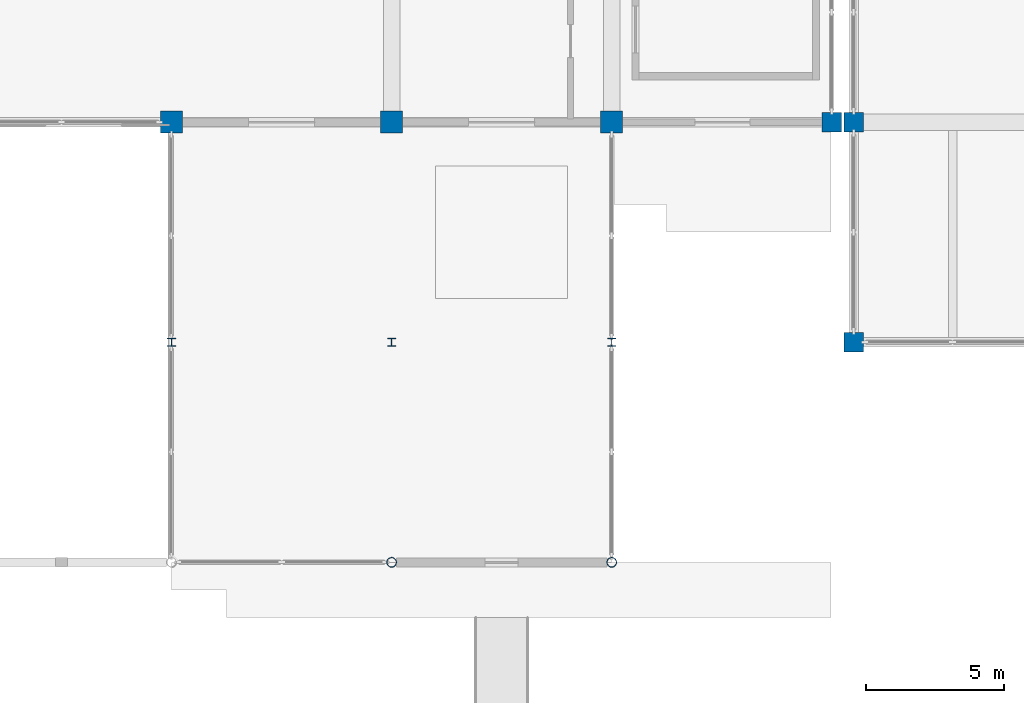
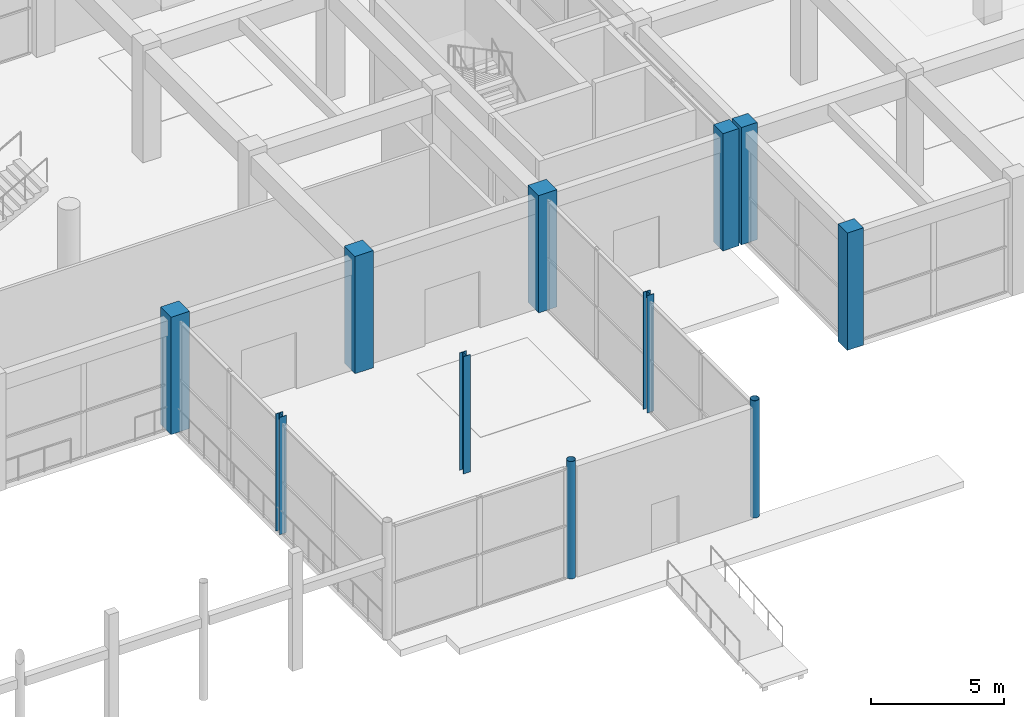
# One storey, part 6 of 86: 11 columns.
"""IFC4 building model written with IfcOpenShell, lengths in metres."""

from ifc_helpers import new_model, si_unit, direction, frame, origin, origin_2d, place, context, subcontext, project, spatial, rectangle, hollow_circle, i_section, extrude, material, material_profile, profile_set, type_object, element, save


model = new_model("IFC4")

# Units and contexts
model_context = context("Model", 3, precision=1e-05, world=origin(), true_north=direction((0.0, 1.0)))
body_context = subcontext(model_context, "Body", "Model", "MODEL_VIEW")
ifc_project = project(units=[si_unit("LENGTHUNIT", "METRE"), si_unit("AREAUNIT", "SQUARE_METRE"), si_unit("VOLUMEUNIT", "CUBIC_METRE"), si_unit("PLANEANGLEUNIT", "RADIAN"), si_unit("MASSUNIT", "GRAM", prefix="KILO")], contexts=[model_context])

# Site, building, storey
site_placement = place(None, origin())
site = spatial("IfcSite", under=ifc_project, at=site_placement, CompositionType="ELEMENT")
building_placement = place(site_placement, origin())
building = spatial("IfcBuilding", under=site, at=building_placement, Name="Kenh Van Central Station", CompositionType="ELEMENT")
storey_placement = place(building_placement, origin())
storey = spatial("IfcBuildingStorey", under=building, at=storey_placement, Name="L00", CompositionType="ELEMENT", Elevation=0.0)

# Columns
ifc_material_1 = material(Name="Concrete C40/50", Category="concrete")
ifc_material_profile_1 = material_profile(ifc_material_1, rectangle(XDim=0.699951171875, YDim=0.699951171875, at=origin_2d()), Name="RC 700x700")
ifc_profile_set_1 = profile_set([ifc_material_profile_1], Name="Concrete C40/50")
column_type_1 = type_object("IfcColumnType", Name="COL-RC-700x700", PredefinedType="COLUMN", material=ifc_profile_set_1)
for number, where, z_axis, x_axis, name in (
    (1, (120.0, 16.0, 0.0), (0.0, 0.0, 1.0), (1.0, 0.0, 0.0), "L00 column CC-120-016"),
    (2, (120.800048828125, 8.0, 0.0), (0.0, 0.0, 1.0), (1.0, 0.0, 0.0), "L00 column CE-1208-008"),
    (3, (120.800048828125, 16.0, 0.0), (0.0, 0.0, 1.0), (1.0, 0.0, 0.0), "L00 column CE-1208-016"),
):
    element("IfcColumn", number, at=place(storey_placement, frame(where, z_axis=z_axis, x_axis=x_axis)), inside=storey, type_object=column_type_1, Name=name, PredefinedType="COLUMN", context=body_context, shape_type="SweptSolid", body=[
        extrude(rectangle(XDim=0.699951171875, YDim=0.699951171875, at=origin_2d()), origin(), (0.0, 0.0, 1.0), 5.39990234375),
    ])
ifc_material_profile_2 = material_profile(ifc_material_1, rectangle(XDim=0.800048828125, YDim=0.800048828125, at=origin_2d()), Name="RC 800x800")
ifc_profile_set_2 = profile_set([ifc_material_profile_2], Name="Concrete C40/50")
column_type_2 = type_object("IfcColumnType", Name="COL-RC-800x800", PredefinedType="COLUMN", material=ifc_profile_set_2)
for number, where, z_axis, x_axis, name in (
    (4, (96.0, 16.0, 0.0), (0.0, 0.0, 1.0), (1.0, 0.0, 0.0), "L00 column CC-096-016"),
    (5, (104.0, 16.0, 0.0), (0.0, 0.0, 1.0), (1.0, 0.0, 0.0), "L00 column CC-104-016"),
    (6, (112.0, 16.0, 0.0), (0.0, 0.0, 1.0), (1.0, 0.0, 0.0), "L00 column CC-112-016"),
):
    element("IfcColumn", number, at=place(storey_placement, frame(where, z_axis=z_axis, x_axis=x_axis)), inside=storey, type_object=column_type_2, Name=name, PredefinedType="COLUMN", context=body_context, shape_type="SweptSolid", body=[
        extrude(rectangle(XDim=0.800048828125, YDim=0.800048828125, at=origin_2d()), origin(), (0.0, 0.0, 1.0), 5.39990234375),
    ])
ifc_material_2 = material(Name="Steel S355", Category="steel")
ifc_material_profile_3 = material_profile(ifc_material_2, hollow_circle(Radius=0.177734375, WallThickness=0.012451171875, at=origin_2d()), Name="CHS 355.6x12.5")
ifc_profile_set_3 = profile_set([ifc_material_profile_3], Name="Steel S355")
column_type_3 = type_object("IfcColumnType", Name="COL-STL-CAN356", PredefinedType="COLUMN", material=ifc_profile_set_3)
for number, where, z_axis, x_axis, name in (
    (7, (104.0, 0.0, 0.0), (0.0, 0.0, 1.0), (1.0, 0.0, 0.0), "L00 column CF-104-000"),
    (8, (112.0, 0.0, 0.0), (0.0, 0.0, 1.0), (1.0, 0.0, 0.0), "L00 column CF-112-000"),
):
    element("IfcColumn", number, at=place(storey_placement, frame(where, z_axis=z_axis, x_axis=x_axis)), inside=storey, type_object=column_type_3, Name=name, PredefinedType="COLUMN", context=body_context, shape_type="SweptSolid", body=[
        extrude(hollow_circle(Radius=0.177734375, WallThickness=0.012451171875, at=origin_2d()), origin(), (0.0, 0.0, 1.0), 5.39990234375),
    ])
ifc_material_profile_4 = material_profile(ifc_material_2, i_section(OverallWidth=0.300048828125, OverallDepth=0.300048828125, WebThickness=0.010986328125, FlangeThickness=0.01904296875, FilletRadius=0.027099609375, at=origin_2d()), Name="HEB 300")
ifc_profile_set_4 = profile_set([ifc_material_profile_4], Name="Steel S355")
column_type_4 = type_object("IfcColumnType", Name="COL-STL-HEB300", PredefinedType="COLUMN", material=ifc_profile_set_4)
for number, where, z_axis, x_axis, name in (
    (9, (96.0, 8.0, 0.0), (0.0, 0.0, 1.0), (1.0, 0.0, 0.0), "L00 column CF-096-008"),
    (10, (104.0, 8.0, 0.0), (0.0, 0.0, 1.0), (1.0, 0.0, 0.0), "L00 column CF-104-008"),
    (11, (112.0, 8.0, 0.0), (0.0, 0.0, 1.0), (1.0, 0.0, 0.0), "L00 column CF-112-008"),
):
    element("IfcColumn", number, at=place(storey_placement, frame(where, z_axis=z_axis, x_axis=x_axis)), inside=storey, type_object=column_type_4, Name=name, PredefinedType="COLUMN", context=body_context, shape_type="SweptSolid", body=[
        extrude(i_section(OverallWidth=0.300048828125, OverallDepth=0.300048828125, WebThickness=0.010986328125, FlangeThickness=0.01904296875, FilletRadius=0.027099609375, at=origin_2d()), origin(), (0.0, 0.0, 1.0), 5.39990234375),
    ])

save(model, "model.ifc")
